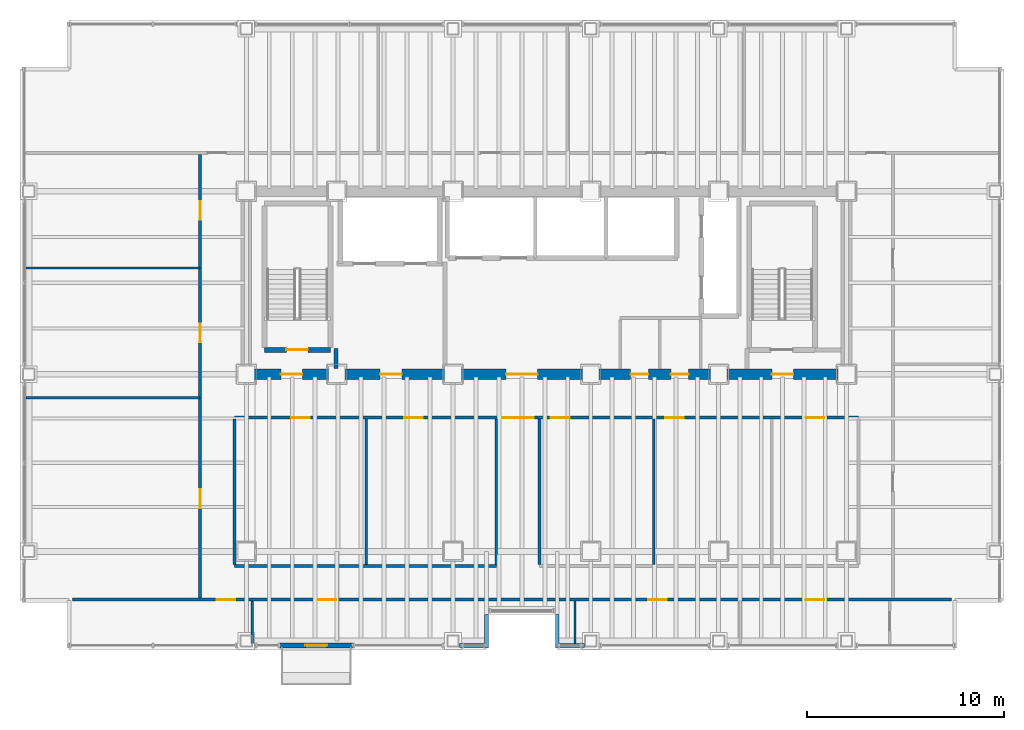
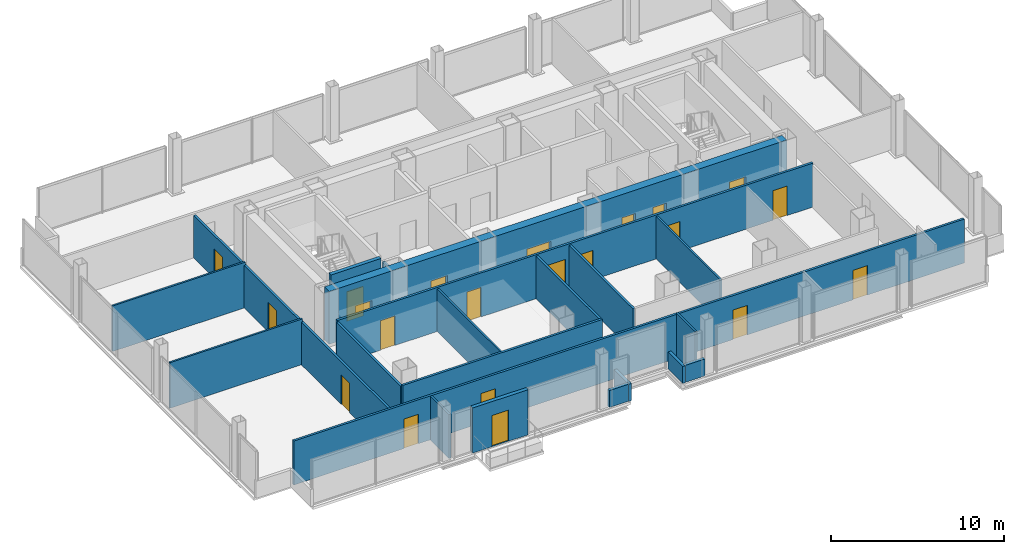
# One storey, part 18 of 21: 21 doors, 21 walls, 21 openings.
"""IFC4 building model written with IfcOpenShell, lengths in metres."""

from ifc_helpers import new_model, si_unit, direction, frame, frame_2d, origin, place, context, subcontext, project, spatial, rectangle, extrude, material, layer, layer_set, type_object, element, fill, save


model = new_model("IFC4")

# Units and contexts
model_context = context("Model", 3, precision=1e-05, world=origin(), true_north=direction((0.0, 1.0)))
body_context = subcontext(model_context, "Body", "Model", "MODEL_VIEW")
ifc_project = project(units=[si_unit("LENGTHUNIT", "METRE"), si_unit("AREAUNIT", "SQUARE_METRE"), si_unit("VOLUMEUNIT", "CUBIC_METRE"), si_unit("PLANEANGLEUNIT", "RADIAN"), si_unit("MASSUNIT", "GRAM", prefix="KILO")], contexts=[model_context])

# Site, building, storey
site_placement = place(None, origin())
site = spatial("IfcSite", under=ifc_project, at=site_placement, CompositionType="ELEMENT")
building_placement = place(site_placement, origin())
building = spatial("IfcBuilding", under=site, at=building_placement, Name="Noeulbin Bourse Tower", CompositionType="ELEMENT")
storey_placement = place(building_placement, frame((0.0, 0.0, 34.300048828125)))
storey = spatial("IfcBuildingStorey", under=building, at=storey_placement, Name="L08", CompositionType="ELEMENT", Elevation=34.300048828125)

# Wall, openings, doors
ifc_material_1 = material(Name="Concrete C60/75", Category="concrete")
ifc_layer_1 = layer(ifc_material_1, 0.550048828125)
ifc_layer_set_1 = layer_set([ifc_layer_1], Name="Concrete C60/75")
wall_type_1 = type_object("IfcWallType", Name="WAL-CORE-550", PredefinedType="SHEAR", material=ifc_layer_set_1)
wall_1_placement = place(storey_placement, frame((13.5, 29.0, 0.0), z_axis=(0.0, 0.0, 1.0), x_axis=(1.0, 0.0, 0.0)))
wall_1 = element("IfcWall", 1, at=wall_1_placement, inside=storey, type_object=wall_type_1, Name="Rear Core South Shear Wall L08", PredefinedType="SHEAR", context=body_context, shape_type="SweptSolid", body=[
    extrude(rectangle(XDim=30.5, YDim=0.550048828125, at=frame_2d((15.25, 0.0))), origin(), (0.0, 0.0, 1.0), 3.719970703125),
])
opening_1_placement = place(wall_1_placement, frame((1.75, 0.0, 0.0)))
opening_1 = element("IfcOpeningElement", 2, at=opening_1_placement, cuts=wall_1, Name="Opening FD-11", PredefinedType="OPENING", context=body_context, shape_type="SweptSolid", body=[
    extrude(rectangle(XDim=1.10009765625, YDim=2.080078125, at=frame_2d((0.550048828125, 1.0400390625))), frame((0.0, 0.284912109375, 0.0), z_axis=(0.0, -1.0, 0.0), x_axis=(1.0, 0.0, 0.0)), (0.0, 0.0, 1.0), 0.570068359375),
])
opening_2_placement = place(wall_1_placement, frame((26.699951171875, 0.0, 0.0)))
opening_2 = element("IfcOpeningElement", 3, at=opening_2_placement, cuts=wall_1, Name="Opening FD-11", PredefinedType="OPENING", context=body_context, shape_type="SweptSolid", body=[
    extrude(rectangle(XDim=1.10009765625, YDim=2.080078125, at=frame_2d((0.550048828125, 1.0400390625))), frame((0.0, 0.284912109375, 0.0), z_axis=(0.0, -1.0, 0.0), x_axis=(1.0, 0.0, 0.0)), (0.0, 0.0, 1.0), 0.570068359375),
])
opening_3_placement = place(wall_1_placement, frame((6.800048828125, 0.0, 0.0)))
opening_3 = element("IfcOpeningElement", 4, at=opening_3_placement, cuts=wall_1, Name="Opening FD-11", PredefinedType="OPENING", context=body_context, shape_type="SweptSolid", body=[
    extrude(rectangle(XDim=1.10009765625, YDim=2.080078125, at=frame_2d((0.550048828125, 1.0400390625))), frame((0.0, 0.284912109375, 0.0), z_axis=(0.0, -1.0, 0.0), x_axis=(1.0, 0.0, 0.0)), (0.0, 0.0, 1.0), 0.570068359375),
])
opening_4_placement = place(wall_1_placement, frame((13.199951171875, 0.0, 0.0)))
opening_4 = element("IfcOpeningElement", 5, at=opening_4_placement, cuts=wall_1, Name="Opening ID-16", PredefinedType="OPENING", context=body_context, shape_type="SweptSolid", body=[
    extrude(rectangle(XDim=1.60009765625, YDim=2.080078125, at=frame_2d((0.800048828125, 1.0400390625))), frame((0.0, 0.284912109375, 0.0), z_axis=(0.0, -1.0, 0.0), x_axis=(1.0, 0.0, 0.0)), (0.0, 0.0, 1.0), 0.570068359375),
])
opening_5_placement = place(wall_1_placement, frame((19.530029296875, 0.0, 0.0)))
opening_5 = element("IfcOpeningElement", 6, at=opening_5_placement, cuts=wall_1, Name="Opening FD-09", PredefinedType="OPENING", context=body_context, shape_type="SweptSolid", body=[
    extrude(rectangle(XDim=0.89990234375, YDim=2.080078125, at=frame_2d((0.449951171875, 1.0400390625))), frame((0.0, 0.284912109375, 0.0), z_axis=(0.0, -1.0, 0.0), x_axis=(1.0, 0.0, 0.0)), (0.0, 0.0, 1.0), 0.570068359375),
])
opening_6_placement = place(wall_1_placement, frame((21.570068359375, 0.0, 0.0)))
opening_6 = element("IfcOpeningElement", 7, at=opening_6_placement, cuts=wall_1, Name="Opening FD-09", PredefinedType="OPENING", context=body_context, shape_type="SweptSolid", body=[
    extrude(rectangle(XDim=0.89990234375, YDim=2.080078125, at=frame_2d((0.449951171875, 1.0400390625))), frame((0.0, 0.284912109375, 0.0), z_axis=(0.0, -1.0, 0.0), x_axis=(1.0, 0.0, 0.0)), (0.0, 0.0, 1.0), 0.570068359375),
])
ifc_material_2 = material(Name="Acoustic Glazed Aluminium", Category="aluminium")
door_type_1 = type_object("IfcDoorType", Name="DR-DBL-1600", OperationType="DOUBLE_DOOR_SINGLE_SWING", PredefinedType="DOOR", material=ifc_material_2)
door_1_placement = place(opening_4_placement, origin())
door_1 = element("IfcDoor", 8, at=door_1_placement, inside=storey, type_object=door_type_1, Name="Passenger Lift Lobby Portal L08", OperationType="DOUBLE_DOOR_SINGLE_SWING", OverallHeight=2.080078125, OverallWidth=1.60009765625, PredefinedType="DOOR", context=body_context, shape_type="SweptSolid", body=[
    extrude(rectangle(XDim=1.60009765625, YDim=2.080078125, at=frame_2d((0.800048828125, 1.0400390625))), frame((0.0, 0.02490234375, 0.0), z_axis=(0.0, -1.0, 0.0), x_axis=(1.0, 0.0, 0.0)), (0.0, 0.0, 1.0), 0.050048828125),
])
fill(opening_4, door_1)
ifc_material_3 = material(Name="Fire-Rated Timber Core", Category="wood")
door_type_2 = type_object("IfcDoorType", Name="DR-FD30-900", OperationType="SINGLE_SWING_RIGHT", PredefinedType="DOOR", material=ifc_material_3)
door_2_placement = place(opening_5_placement, origin())
door_2 = element("IfcDoor", 9, at=door_2_placement, inside=storey, type_object=door_type_2, Name="Interior Door L08-05", OperationType="SINGLE_SWING_LEFT", OverallHeight=2.080078125, OverallWidth=0.89990234375, PredefinedType="DOOR", context=body_context, shape_type="SweptSolid", body=[
    extrude(rectangle(XDim=0.89990234375, YDim=2.080078125, at=frame_2d((0.449951171875, 1.0400390625))), frame((0.0, 0.02490234375, 0.0), z_axis=(0.0, -1.0, 0.0), x_axis=(1.0, 0.0, 0.0)), (0.0, 0.0, 1.0), 0.050048828125),
])
fill(opening_5, door_2)
door_3_placement = place(opening_6_placement, origin())
door_3 = element("IfcDoor", 10, at=door_3_placement, inside=storey, type_object=door_type_2, Name="Interior Door L08-06", OperationType="SINGLE_SWING_RIGHT", OverallHeight=2.080078125, OverallWidth=0.89990234375, PredefinedType="DOOR", context=body_context, shape_type="SweptSolid", body=[
    extrude(rectangle(XDim=0.89990234375, YDim=2.080078125, at=frame_2d((0.449951171875, 1.0400390625))), frame((0.0, 0.02490234375, 0.0), z_axis=(0.0, -1.0, 0.0), x_axis=(1.0, 0.0, 0.0)), (0.0, 0.0, 1.0), 0.050048828125),
])
fill(opening_6, door_3)
ifc_material_4 = material(Name="Fire-Rated Insulated Steel", Category="steel")
door_type_3 = type_object("IfcDoorType", Name="DR-FD60-1100", OperationType="SINGLE_SWING_LEFT", PredefinedType="DOOR", material=ifc_material_4)
door_4_placement = place(opening_1_placement, origin())
door_4 = element("IfcDoor", 11, at=door_4_placement, inside=storey, type_object=door_type_3, Name="West Stair Lobby Door L08", OperationType="SINGLE_SWING_LEFT", OverallHeight=2.080078125, OverallWidth=1.10009765625, PredefinedType="DOOR", context=body_context, shape_type="SweptSolid", body=[
    extrude(rectangle(XDim=1.10009765625, YDim=2.080078125, at=frame_2d((0.550048828125, 1.0400390625))), frame((0.0, 0.02490234375, 0.0), z_axis=(0.0, -1.0, 0.0), x_axis=(1.0, 0.0, 0.0)), (0.0, 0.0, 1.0), 0.050048828125),
])
fill(opening_1, door_4)
door_5_placement = place(opening_2_placement, origin())
door_5 = element("IfcDoor", 12, at=door_5_placement, inside=storey, type_object=door_type_3, Name="East Stair Lobby Door L08", OperationType="SINGLE_SWING_RIGHT", OverallHeight=2.080078125, OverallWidth=1.10009765625, PredefinedType="DOOR", context=body_context, shape_type="SweptSolid", body=[
    extrude(rectangle(XDim=1.10009765625, YDim=2.080078125, at=frame_2d((0.550048828125, 1.0400390625))), frame((0.0, 0.02490234375, 0.0), z_axis=(0.0, -1.0, 0.0), x_axis=(1.0, 0.0, 0.0)), (0.0, 0.0, 1.0), 0.050048828125),
])
fill(opening_2, door_5)
door_6_placement = place(opening_3_placement, origin())
door_6 = element("IfcDoor", 13, at=door_6_placement, inside=storey, type_object=door_type_3, Name="Firefighting Lobby Door L08", OperationType="SINGLE_SWING_LEFT", OverallHeight=2.080078125, OverallWidth=1.10009765625, PredefinedType="DOOR", context=body_context, shape_type="SweptSolid", body=[
    extrude(rectangle(XDim=1.10009765625, YDim=2.080078125, at=frame_2d((0.550048828125, 1.0400390625))), frame((0.0, 0.02490234375, 0.0), z_axis=(0.0, -1.0, 0.0), x_axis=(1.0, 0.0, 0.0)), (0.0, 0.0, 1.0), 0.050048828125),
])
fill(opening_3, door_6)

# Wall, opening, door
ifc_material_5 = material(Name="Precast Concrete C40/50", Category="concrete")
ifc_layer_2 = layer(ifc_material_5, 0.25)
ifc_layer_set_2 = layer_set([ifc_layer_2], Name="Precast Concrete C40/50")
wall_type_2 = type_object("IfcWallType", Name="WAL-EXT-250", PredefinedType="STANDARD", material=ifc_layer_set_2)
wall_2_placement = place(storey_placement, frame((15.199951171875, 15.219970703125, 0.0), z_axis=(0.0, 0.0, 1.0), x_axis=(1.0, 0.0, 0.0)))
wall_2 = element("IfcWall", 14, at=wall_2_placement, inside=storey, type_object=wall_type_2, Name="Balcony Threshold Wall L08", PredefinedType="STANDARD", context=body_context, shape_type="SweptSolid", body=[
    extrude(rectangle(XDim=3.699951171875, YDim=0.25, at=frame_2d((1.85009765625, 0.0))), origin(), (0.0, 0.0, 1.0), 3.179931640625),
])
opening_7_placement = place(wall_2_placement, frame((1.300048828125, 0.0, 0.0)))
opening_7 = element("IfcOpeningElement", 15, at=opening_7_placement, cuts=wall_2, Name="Opening BD-11", PredefinedType="OPENING", context=body_context, shape_type="SweptSolid", body=[
    extrude(rectangle(XDim=1.10009765625, YDim=2.199951171875, at=frame_2d((0.550048828125, 1.10009765625))), frame((0.0, 0.135009765625, 0.0), z_axis=(0.0, -1.0, 0.0), x_axis=(1.0, 0.0, 0.0)), (0.0, 0.0, 1.0), 0.27001953125),
])
ifc_material_6 = material(Name="Thermally Broken Aluminium Framed Glass", Category="aluminium")
door_type_4 = type_object("IfcDoorType", Name="DR-BAL-1100", OperationType="SINGLE_SWING_LEFT", PredefinedType="DOOR", material=ifc_material_6)
door_7_placement = place(opening_7_placement, origin())
door_7 = element("IfcDoor", 16, at=door_7_placement, inside=storey, type_object=door_type_4, Name="Tree-Balcony Access Door BD-L08", OperationType="SINGLE_SWING_RIGHT", OverallHeight=2.199951171875, OverallWidth=1.10009765625, PredefinedType="DOOR", context=body_context, shape_type="SweptSolid", body=[
    extrude(rectangle(XDim=1.10009765625, YDim=2.199951171875, at=frame_2d((0.550048828125, 1.10009765625))), frame((0.0, 0.02490234375, 0.0), z_axis=(0.0, -1.0, 0.0), x_axis=(1.0, 0.0, 0.0)), (0.0, 0.0, 1.0), 0.050048828125),
])
fill(opening_7, door_7)

# Walls
ifc_material_7 = material(Name="Concrete C40/50", Category="concrete")
ifc_layer_3 = layer(ifc_material_7, 0.199951171875)
ifc_layer_set_3 = layer_set([ifc_layer_3], Name="Concrete C40/50")
wall_type_3 = type_object("IfcWallType", Name="WAL-FIRE-200", PredefinedType="STANDARD", material=ifc_layer_set_3)
wall_3_placement = place(storey_placement, frame((18.050048828125, 29.284912109375, 0.0), z_axis=(0.0, 0.0, 1.0), x_axis=(0.0, 1.0, 0.0)))
element("IfcWall", 17, at=wall_3_placement, inside=storey, type_object=wall_type_3, Name="Interior Partition Wall L08-11", PredefinedType="STANDARD", context=body_context, shape_type="SweptSolid", body=[
    extrude(rectangle(XDim=1.01513671875, YDim=0.199951171875, at=frame_2d((0.507568359375, 0.0))), origin(), (0.0, 0.0, 1.0), 3.300048828125),
])
ifc_layer_4 = layer(ifc_material_7, 0.199951171875)
ifc_layer_set_4 = layer_set([ifc_layer_4], Name="Concrete C40/50")
wall_type_4 = type_object("IfcWallType", Name="WAL-PAR-200", PredefinedType="PARAPET", material=ifc_layer_set_4)
for number, where, z_axis, x_axis, name in (
    (18, (24.320068359375, 15.219970703125, 0.0), (0.0, 0.0, 1.0), (1.0, 0.0, 0.0), "Perimeter Pier Spandrel Parapet L08-S1"),
    (19, (29.35009765625, 15.219970703125, 0.0), (0.0, 0.0, 1.0), (1.0, 0.0, 0.0), "Perimeter Pier Spandrel Parapet L08-S2"),
):
    element("IfcWall", number, at=place(storey_placement, frame(where, z_axis=z_axis, x_axis=x_axis)), inside=storey, type_object=wall_type_4, Name=name, PredefinedType="PARAPET", context=body_context, shape_type="SweptSolid", body=[
        extrude(rectangle(XDim=1.329833984375, YDim=0.199951171875, at=frame_2d((0.6650390625, 0.0))), origin(), (0.0, 0.0, 1.0), 1.199951171875),
    ])
for number, where, z_axis, x_axis, name in (
    (20, (25.699951171875, 15.10009765625, 0.0), (0.0, 0.0, 1.0), (0.0, 1.0, 0.0), "Sky-Garden Recess Parapet L08-W"),
    (21, (29.300048828125, 16.800048828125, 0.0), (0.0, 0.0, 1.0), (0.0, -1.0, 0.0), "Sky-Garden Recess Parapet L08-E"),
):
    element("IfcWall", number, at=place(storey_placement, frame(where, z_axis=z_axis, x_axis=x_axis)), inside=storey, type_object=wall_type_4, Name=name, PredefinedType="PARAPET", context=body_context, shape_type="SweptSolid", body=[
        extrude(rectangle(XDim=1.699951171875, YDim=0.199951171875, at=frame_2d((0.85009765625, 0.0))), origin(), (0.0, 0.0, 1.0), 1.199951171875),
    ])
ifc_material_8 = material(Name="Steel Stud Gypsum Partition", Category="steel")
ifc_layer_5 = layer(ifc_material_8, 0.1201171875)
ifc_layer_set_5 = layer_set([ifc_layer_5], Name="Steel Stud Gypsum Partition")
wall_type_5 = type_object("IfcWallType", Name="WAL-PRT-120", PredefinedType="PARTITIONING", material=ifc_layer_set_5)
for number, where, z_axis, x_axis, name in (
    (22, (2.31005859375, 27.800048828125, 0.0), (0.0, 0.0, 1.0), (1.0, 0.0, 0.0), "Interior Partition Wall L08-07"),
    (23, (2.31005859375, 34.39990234375, 0.0), (0.0, 0.0, 1.0), (1.0, 0.0, 0.0), "Interior Partition Wall L08-08"),
):
    element("IfcWall", number, at=place(storey_placement, frame(where, z_axis=z_axis, x_axis=x_axis)), inside=storey, type_object=wall_type_5, Name=name, PredefinedType="PARTITIONING", context=body_context, shape_type="SweptSolid", body=[
        extrude(rectangle(XDim=8.83984375, YDim=0.1201171875, at=frame_2d((4.419921875, 0.0))), origin(), (0.0, 0.0, 1.0), 3.2119140625),
    ])
wall_4_placement = place(storey_placement, frame((13.800048828125, 15.31005859375, 0.0), z_axis=(0.0, 0.0, 1.0), x_axis=(0.0, 1.0, 0.0)))
element("IfcWall", 24, at=wall_4_placement, inside=storey, type_object=wall_type_5, Name="Interior Partition Wall L08-23", PredefinedType="PARTITIONING", context=body_context, shape_type="SweptSolid", body=[
    extrude(rectangle(XDim=2.155029296875, YDim=0.1201171875, at=frame_2d((1.07763671875, 0.0))), origin(), (0.0, 0.0, 1.0), 3.099853515625),
])
wall_5_placement = place(storey_placement, frame((30.199951171875, 15.31005859375, 0.0), z_axis=(0.0, 0.0, 1.0), x_axis=(0.0, 1.0, 0.0)))
element("IfcWall", 25, at=wall_5_placement, inside=storey, type_object=wall_type_5, Name="Interior Partition Wall L08-24", PredefinedType="PARTITIONING", context=body_context, shape_type="SweptSolid", body=[
    extrude(rectangle(XDim=2.155029296875, YDim=0.1201171875, at=frame_2d((1.07763671875, 0.0))), origin(), (0.0, 0.0, 1.0), 3.2119140625),
])
for number, where, z_axis, x_axis, name in (
    (26, (19.60009765625, 19.3349609375, 0.0), (0.0, 0.0, 1.0), (0.0, 1.0, 0.0), "Interior Partition Wall L08-27"),
    (27, (34.199951171875, 19.3349609375, 0.0), (0.0, 0.0, 1.0), (0.0, 1.0, 0.0), "Interior Partition Wall L08-28"),
):
    element("IfcWall", number, at=place(storey_placement, frame(where, z_axis=z_axis, x_axis=x_axis)), inside=storey, type_object=wall_type_5, Name=name, PredefinedType="PARTITIONING", context=body_context, shape_type="SweptSolid", body=[
        extrude(rectangle(XDim=7.380126953125, YDim=0.1201171875, at=frame_2d((3.68994140625, 0.0))), origin(), (0.0, 0.0, 1.0), 3.0),
    ])

# Wall, openings, doors
ifc_material_9 = material(Name="Steel Stud Acoustic Gypsum Board", Category="steel")
ifc_layer_6 = layer(ifc_material_9, 0.14990234375)
ifc_layer_set_6 = layer_set([ifc_layer_6], Name="Steel Stud Acoustic Gypsum Board")
wall_type_6 = type_object("IfcWallType", Name="WAL-PRT-150", PredefinedType="PARTITIONING", material=ifc_layer_set_6)
wall_6_placement = place(storey_placement, frame((12.89990234375, 26.800048828125, 0.0), z_axis=(0.0, 0.0, 1.0), x_axis=(1.0, 0.0, 0.0)))
wall_6 = element("IfcWall", 28, at=wall_6_placement, inside=storey, type_object=wall_type_6, Name="Interior Partition Wall L08-03", PredefinedType="PARTITIONING", context=body_context, shape_type="SweptSolid", body=[
    extrude(rectangle(XDim=31.7001953125, YDim=0.14990234375, at=frame_2d((15.85009765625, 0.0))), origin(), (0.0, 0.0, 1.0), 3.099853515625),
])
opening_8_placement = place(wall_6_placement, frame((13.60009765625, 0.0, 0.0)))
opening_8 = element("IfcOpeningElement", 29, at=opening_8_placement, cuts=wall_6, Name="Opening ID-16", PredefinedType="OPENING", context=body_context, shape_type="SweptSolid", body=[
    extrude(rectangle(XDim=1.60009765625, YDim=2.080078125, at=frame_2d((0.800048828125, 1.0400390625))), frame((0.0, 0.0849609375, 0.0), z_axis=(0.0, -1.0, 0.0), x_axis=(1.0, 0.0, 0.0)), (0.0, 0.0, 1.0), 0.169921875),
])
opening_9_placement = place(wall_6_placement, frame((2.875, 0.0, 0.0)))
opening_9 = element("IfcOpeningElement", 30, at=opening_9_placement, cuts=wall_6, Name="Opening ID-09", PredefinedType="OPENING", context=body_context, shape_type="SweptSolid", body=[
    extrude(rectangle(XDim=0.949951171875, YDim=2.080078125, at=frame_2d((0.47509765625, 1.0400390625))), frame((0.0, 0.0849609375, 0.0), z_axis=(0.0, -1.0, 0.0), x_axis=(1.0, 0.0, 0.0)), (0.0, 0.0, 1.0), 0.169921875),
])
opening_10_placement = place(wall_6_placement, frame((8.625, 0.0, 0.0)))
opening_10 = element("IfcOpeningElement", 31, at=opening_10_placement, cuts=wall_6, Name="Opening ID-09", PredefinedType="OPENING", context=body_context, shape_type="SweptSolid", body=[
    extrude(rectangle(XDim=0.949951171875, YDim=2.080078125, at=frame_2d((0.47509765625, 1.0400390625))), frame((0.0, 0.0849609375, 0.0), z_axis=(0.0, -1.0, 0.0), x_axis=(1.0, 0.0, 0.0)), (0.0, 0.0, 1.0), 0.169921875),
])
opening_11_placement = place(wall_6_placement, frame((16.074951171875, 0.0, 0.0)))
opening_11 = element("IfcOpeningElement", 32, at=opening_11_placement, cuts=wall_6, Name="Opening ID-09", PredefinedType="OPENING", context=body_context, shape_type="SweptSolid", body=[
    extrude(rectangle(XDim=0.949951171875, YDim=2.080078125, at=frame_2d((0.47509765625, 1.0400390625))), frame((0.0, 0.0849609375, 0.0), z_axis=(0.0, -1.0, 0.0), x_axis=(1.0, 0.0, 0.0)), (0.0, 0.0, 1.0), 0.169921875),
])
opening_12_placement = place(wall_6_placement, frame((21.875, 0.0, 0.0)))
opening_12 = element("IfcOpeningElement", 33, at=opening_12_placement, cuts=wall_6, Name="Opening ID-09", PredefinedType="OPENING", context=body_context, shape_type="SweptSolid", body=[
    extrude(rectangle(XDim=0.949951171875, YDim=2.080078125, at=frame_2d((0.47509765625, 1.0400390625))), frame((0.0, 0.0849609375, 0.0), z_axis=(0.0, -1.0, 0.0), x_axis=(1.0, 0.0, 0.0)), (0.0, 0.0, 1.0), 0.169921875),
])
opening_13_placement = place(wall_6_placement, frame((29.02490234375, 0.0, 0.0)))
opening_13 = element("IfcOpeningElement", 34, at=opening_13_placement, cuts=wall_6, Name="Opening ID-09", PredefinedType="OPENING", context=body_context, shape_type="SweptSolid", body=[
    extrude(rectangle(XDim=0.949951171875, YDim=2.080078125, at=frame_2d((0.47509765625, 1.0400390625))), frame((0.0, 0.0849609375, 0.0), z_axis=(0.0, -1.0, 0.0), x_axis=(1.0, 0.0, 0.0)), (0.0, 0.0, 1.0), 0.169921875),
])
door_8_placement = place(opening_8_placement, origin())
door_8 = element("IfcDoor", 35, at=door_8_placement, inside=storey, type_object=door_type_1, Name="Interior Door L08-07", OperationType="DOUBLE_DOOR_SINGLE_SWING", OverallHeight=2.080078125, OverallWidth=1.60009765625, PredefinedType="DOOR", context=body_context, shape_type="SweptSolid", body=[
    extrude(rectangle(XDim=1.60009765625, YDim=2.080078125, at=frame_2d((0.800048828125, 1.0400390625))), frame((0.0, 0.02490234375, 0.0), z_axis=(0.0, -1.0, 0.0), x_axis=(1.0, 0.0, 0.0)), (0.0, 0.0, 1.0), 0.050048828125),
])
fill(opening_8, door_8)
ifc_material_10 = material(Name="Acoustic Solid-Core Timber", Category="wood")
door_type_5 = type_object("IfcDoorType", Name="DR-SINGLE-950", OperationType="SINGLE_SWING_LEFT", PredefinedType="DOOR", material=ifc_material_10)
door_9_placement = place(opening_9_placement, origin())
door_9 = element("IfcDoor", 36, at=door_9_placement, inside=storey, type_object=door_type_5, Name="Interior Door L08-13", OperationType="SINGLE_SWING_LEFT", OverallHeight=2.080078125, OverallWidth=0.949951171875, PredefinedType="DOOR", context=body_context, shape_type="SweptSolid", body=[
    extrude(rectangle(XDim=0.949951171875, YDim=2.080078125, at=frame_2d((0.47509765625, 1.0400390625))), frame((0.0, 0.02490234375, 0.0), z_axis=(0.0, -1.0, 0.0), x_axis=(1.0, 0.0, 0.0)), (0.0, 0.0, 1.0), 0.050048828125),
])
fill(opening_9, door_9)
door_10_placement = place(opening_10_placement, origin())
door_10 = element("IfcDoor", 37, at=door_10_placement, inside=storey, type_object=door_type_5, Name="Interior Door L08-14", OperationType="SINGLE_SWING_RIGHT", OverallHeight=2.080078125, OverallWidth=0.949951171875, PredefinedType="DOOR", context=body_context, shape_type="SweptSolid", body=[
    extrude(rectangle(XDim=0.949951171875, YDim=2.080078125, at=frame_2d((0.47509765625, 1.0400390625))), frame((0.0, 0.02490234375, 0.0), z_axis=(0.0, -1.0, 0.0), x_axis=(1.0, 0.0, 0.0)), (0.0, 0.0, 1.0), 0.050048828125),
])
fill(opening_10, door_10)
door_11_placement = place(opening_11_placement, origin())
door_11 = element("IfcDoor", 38, at=door_11_placement, inside=storey, type_object=door_type_5, Name="Interior Door L08-15", OperationType="SINGLE_SWING_LEFT", OverallHeight=2.080078125, OverallWidth=0.949951171875, PredefinedType="DOOR", context=body_context, shape_type="SweptSolid", body=[
    extrude(rectangle(XDim=0.949951171875, YDim=2.080078125, at=frame_2d((0.47509765625, 1.0400390625))), frame((0.0, 0.02490234375, 0.0), z_axis=(0.0, -1.0, 0.0), x_axis=(1.0, 0.0, 0.0)), (0.0, 0.0, 1.0), 0.050048828125),
])
fill(opening_11, door_11)
door_12_placement = place(opening_12_placement, origin())
door_12 = element("IfcDoor", 39, at=door_12_placement, inside=storey, type_object=door_type_5, Name="Interior Door L08-16", OperationType="SINGLE_SWING_RIGHT", OverallHeight=2.080078125, OverallWidth=0.949951171875, PredefinedType="DOOR", context=body_context, shape_type="SweptSolid", body=[
    extrude(rectangle(XDim=0.949951171875, YDim=2.080078125, at=frame_2d((0.47509765625, 1.0400390625))), frame((0.0, 0.02490234375, 0.0), z_axis=(0.0, -1.0, 0.0), x_axis=(1.0, 0.0, 0.0)), (0.0, 0.0, 1.0), 0.050048828125),
])
fill(opening_12, door_12)
door_13_placement = place(opening_13_placement, origin())
door_13 = element("IfcDoor", 40, at=door_13_placement, inside=storey, type_object=door_type_5, Name="Interior Door L08-17", OperationType="SINGLE_SWING_LEFT", OverallHeight=2.080078125, OverallWidth=0.949951171875, PredefinedType="DOOR", context=body_context, shape_type="SweptSolid", body=[
    extrude(rectangle(XDim=0.949951171875, YDim=2.080078125, at=frame_2d((0.47509765625, 1.0400390625))), frame((0.0, 0.02490234375, 0.0), z_axis=(0.0, -1.0, 0.0), x_axis=(1.0, 0.0, 0.0)), (0.0, 0.0, 1.0), 0.050048828125),
])
fill(opening_13, door_13)

wall_7_placement = place(storey_placement, frame((4.659912109375, 17.550048828125, 0.0), z_axis=(0.0, 0.0, 1.0), x_axis=(1.0, 0.0, 0.0)))
wall_7 = element("IfcWall", 41, at=wall_7_placement, inside=storey, type_object=wall_type_6, Name="Interior Partition Wall L08-04", PredefinedType="PARTITIONING", context=body_context, shape_type="SweptSolid", body=[
    extrude(rectangle(XDim=44.68017578125, YDim=0.14990234375, at=frame_2d((22.340087890625, 0.0))), origin(), (0.0, 0.0, 1.0), 3.099853515625),
])
opening_14_placement = place(wall_7_placement, frame((7.340087890625, 0.0, 0.0)))
opening_14 = element("IfcOpeningElement", 42, at=opening_14_placement, cuts=wall_7, Name="Opening ID-09", PredefinedType="OPENING", context=body_context, shape_type="SweptSolid", body=[
    extrude(rectangle(XDim=0.949951171875, YDim=2.080078125, at=frame_2d((0.47509765625, 1.0400390625))), frame((0.0, 0.0849609375, 0.0), z_axis=(0.0, -1.0, 0.0), x_axis=(1.0, 0.0, 0.0)), (0.0, 0.0, 1.0), 0.169921875),
])
opening_15_placement = place(wall_7_placement, frame((12.465087890625, 0.0, 0.0)))
opening_15 = element("IfcOpeningElement", 43, at=opening_15_placement, cuts=wall_7, Name="Opening ID-09", PredefinedType="OPENING", context=body_context, shape_type="SweptSolid", body=[
    extrude(rectangle(XDim=0.949951171875, YDim=2.080078125, at=frame_2d((0.47509765625, 1.0400390625))), frame((0.0, 0.0849609375, 0.0), z_axis=(0.0, -1.0, 0.0), x_axis=(1.0, 0.0, 0.0)), (0.0, 0.0, 1.0), 0.169921875),
])
opening_16_placement = place(wall_7_placement, frame((29.264892578125, 0.0, 0.0)))
opening_16 = element("IfcOpeningElement", 44, at=opening_16_placement, cuts=wall_7, Name="Opening ID-09", PredefinedType="OPENING", context=body_context, shape_type="SweptSolid", body=[
    extrude(rectangle(XDim=0.949951171875, YDim=2.080078125, at=frame_2d((0.47509765625, 1.0400390625))), frame((0.0, 0.0849609375, 0.0), z_axis=(0.0, -1.0, 0.0), x_axis=(1.0, 0.0, 0.0)), (0.0, 0.0, 1.0), 0.169921875),
])
opening_17_placement = place(wall_7_placement, frame((37.264892578125, 0.0, 0.0)))
opening_17 = element("IfcOpeningElement", 45, at=opening_17_placement, cuts=wall_7, Name="Opening ID-09", PredefinedType="OPENING", context=body_context, shape_type="SweptSolid", body=[
    extrude(rectangle(XDim=0.949951171875, YDim=2.080078125, at=frame_2d((0.47509765625, 1.0400390625))), frame((0.0, 0.0849609375, 0.0), z_axis=(0.0, -1.0, 0.0), x_axis=(1.0, 0.0, 0.0)), (0.0, 0.0, 1.0), 0.169921875),
])
door_14_placement = place(opening_14_placement, origin())
door_14 = element("IfcDoor", 46, at=door_14_placement, inside=storey, type_object=door_type_5, Name="Interior Door L08-08", OperationType="SINGLE_SWING_RIGHT", OverallHeight=2.080078125, OverallWidth=0.949951171875, PredefinedType="DOOR", context=body_context, shape_type="SweptSolid", body=[
    extrude(rectangle(XDim=0.949951171875, YDim=2.080078125, at=frame_2d((0.47509765625, 1.0400390625))), frame((0.0, 0.02490234375, 0.0), z_axis=(0.0, -1.0, 0.0), x_axis=(1.0, 0.0, 0.0)), (0.0, 0.0, 1.0), 0.050048828125),
])
fill(opening_14, door_14)
door_15_placement = place(opening_15_placement, origin())
door_15 = element("IfcDoor", 47, at=door_15_placement, inside=storey, type_object=door_type_5, Name="Interior Door L08-09", OperationType="SINGLE_SWING_LEFT", OverallHeight=2.080078125, OverallWidth=0.949951171875, PredefinedType="DOOR", context=body_context, shape_type="SweptSolid", body=[
    extrude(rectangle(XDim=0.949951171875, YDim=2.080078125, at=frame_2d((0.47509765625, 1.0400390625))), frame((0.0, 0.02490234375, 0.0), z_axis=(0.0, -1.0, 0.0), x_axis=(1.0, 0.0, 0.0)), (0.0, 0.0, 1.0), 0.050048828125),
])
fill(opening_15, door_15)
door_16_placement = place(opening_16_placement, origin())
door_16 = element("IfcDoor", 48, at=door_16_placement, inside=storey, type_object=door_type_5, Name="Interior Door L08-10", OperationType="SINGLE_SWING_RIGHT", OverallHeight=2.080078125, OverallWidth=0.949951171875, PredefinedType="DOOR", context=body_context, shape_type="SweptSolid", body=[
    extrude(rectangle(XDim=0.949951171875, YDim=2.080078125, at=frame_2d((0.47509765625, 1.0400390625))), frame((0.0, 0.02490234375, 0.0), z_axis=(0.0, -1.0, 0.0), x_axis=(1.0, 0.0, 0.0)), (0.0, 0.0, 1.0), 0.050048828125),
])
fill(opening_16, door_16)
door_17_placement = place(opening_17_placement, origin())
door_17 = element("IfcDoor", 49, at=door_17_placement, inside=storey, type_object=door_type_5, Name="Interior Door L08-11", OperationType="SINGLE_SWING_LEFT", OverallHeight=2.080078125, OverallWidth=0.949951171875, PredefinedType="DOOR", context=body_context, shape_type="SweptSolid", body=[
    extrude(rectangle(XDim=0.949951171875, YDim=2.080078125, at=frame_2d((0.47509765625, 1.0400390625))), frame((0.0, 0.02490234375, 0.0), z_axis=(0.0, -1.0, 0.0), x_axis=(1.0, 0.0, 0.0)), (0.0, 0.0, 1.0), 0.050048828125),
])
fill(opening_17, door_17)

# Walls
wall_8_placement = place(storey_placement, frame((12.89990234375, 19.25, 0.0), z_axis=(0.0, 0.0, 1.0), x_axis=(1.0, 0.0, 0.0)))
element("IfcWall", 50, at=wall_8_placement, inside=storey, type_object=wall_type_6, Name="Interior Partition Wall L08-05", PredefinedType="PARTITIONING", context=body_context, shape_type="SweptSolid", body=[
    extrude(rectangle(XDim=13.300048828125, YDim=0.14990234375, at=frame_2d((6.64990234375, 0.0))), origin(), (0.0, 0.0, 1.0), 3.099853515625),
])
for number, where, z_axis, x_axis, name in (
    (51, (26.199951171875, 19.3349609375, 0.0), (0.0, 0.0, 1.0), (0.0, 1.0, 0.0), "Interior Partition Wall L08-17"),
    (52, (28.39990234375, 19.3349609375, 0.0), (0.0, 0.0, 1.0), (0.0, 1.0, 0.0), "Interior Partition Wall L08-18"),
):
    element("IfcWall", number, at=place(storey_placement, frame(where, z_axis=z_axis, x_axis=x_axis)), inside=storey, type_object=wall_type_6, Name=name, PredefinedType="PARTITIONING", context=body_context, shape_type="SweptSolid", body=[
        extrude(rectangle(XDim=7.380126953125, YDim=0.14990234375, at=frame_2d((3.68994140625, 0.0))), origin(), (0.0, 0.0, 1.0), 3.0),
    ])

# Wall, openings, doors
wall_9_placement = place(storey_placement, frame((11.14990234375, 17.635009765625, 0.0), z_axis=(0.0, 0.0, 1.0), x_axis=(0.0, 1.0, 0.0)))
wall_9 = element("IfcWall", 53, at=wall_9_placement, inside=storey, type_object=wall_type_6, Name="Interior Partition Wall L08-19", PredefinedType="PARTITIONING", context=body_context, shape_type="SweptSolid", body=[
    extrude(rectangle(XDim=22.530029296875, YDim=0.14990234375, at=frame_2d((11.26513671875, 0.0))), origin(), (0.0, 0.0, 1.0), 3.0),
])
opening_18_placement = place(wall_9_placement, frame((4.56494140625, 0.0, 0.0)))
opening_18 = element("IfcOpeningElement", 54, at=opening_18_placement, cuts=wall_9, Name="Opening ID-09", PredefinedType="OPENING", context=body_context, shape_type="SweptSolid", body=[
    extrude(rectangle(XDim=0.949951171875, YDim=2.080078125, at=frame_2d((0.47509765625, 1.0400390625))), frame((0.0, 0.0849609375, 0.0), z_axis=(0.0, -1.0, 0.0), x_axis=(1.0, 0.0, 0.0)), (0.0, 0.0, 1.0), 0.169921875),
])
opening_19_placement = place(wall_9_placement, frame((12.989990234375, 0.0, 0.0)))
opening_19 = element("IfcOpeningElement", 55, at=opening_19_placement, cuts=wall_9, Name="Opening ID-09", PredefinedType="OPENING", context=body_context, shape_type="SweptSolid", body=[
    extrude(rectangle(XDim=0.949951171875, YDim=2.080078125, at=frame_2d((0.47509765625, 1.0400390625))), frame((0.0, 0.0849609375, 0.0), z_axis=(0.0, -1.0, 0.0), x_axis=(1.0, 0.0, 0.0)), (0.0, 0.0, 1.0), 0.169921875),
])
opening_20_placement = place(wall_9_placement, frame((19.215087890625, 0.0, 0.0)))
opening_20 = element("IfcOpeningElement", 56, at=opening_20_placement, cuts=wall_9, Name="Opening ID-09", PredefinedType="OPENING", context=body_context, shape_type="SweptSolid", body=[
    extrude(rectangle(XDim=0.949951171875, YDim=2.080078125, at=frame_2d((0.47509765625, 1.0400390625))), frame((0.0, 0.0849609375, 0.0), z_axis=(0.0, -1.0, 0.0), x_axis=(1.0, 0.0, 0.0)), (0.0, 0.0, 1.0), 0.169921875),
])
door_18_placement = place(opening_18_placement, origin())
door_18 = element("IfcDoor", 57, at=door_18_placement, inside=storey, type_object=door_type_5, Name="Interior Door L08-18", OperationType="SINGLE_SWING_RIGHT", OverallHeight=2.080078125, OverallWidth=0.949951171875, PredefinedType="DOOR", context=body_context, shape_type="SweptSolid", body=[
    extrude(rectangle(XDim=0.949951171875, YDim=2.080078125, at=frame_2d((0.47509765625, 1.0400390625))), frame((0.0, 0.02490234375, 0.0), z_axis=(0.0, -1.0, 0.0), x_axis=(1.0, 0.0, 0.0)), (0.0, 0.0, 1.0), 0.050048828125),
])
fill(opening_18, door_18)
door_19_placement = place(opening_19_placement, origin())
door_19 = element("IfcDoor", 58, at=door_19_placement, inside=storey, type_object=door_type_5, Name="Interior Door L08-19", OperationType="SINGLE_SWING_LEFT", OverallHeight=2.080078125, OverallWidth=0.949951171875, PredefinedType="DOOR", context=body_context, shape_type="SweptSolid", body=[
    extrude(rectangle(XDim=0.949951171875, YDim=2.080078125, at=frame_2d((0.47509765625, 1.0400390625))), frame((0.0, 0.02490234375, 0.0), z_axis=(0.0, -1.0, 0.0), x_axis=(1.0, 0.0, 0.0)), (0.0, 0.0, 1.0), 0.050048828125),
])
fill(opening_19, door_19)
door_20_placement = place(opening_20_placement, origin())
door_20 = element("IfcDoor", 59, at=door_20_placement, inside=storey, type_object=door_type_5, Name="Interior Door L08-20", OperationType="SINGLE_SWING_RIGHT", OverallHeight=2.080078125, OverallWidth=0.949951171875, PredefinedType="DOOR", context=body_context, shape_type="SweptSolid", body=[
    extrude(rectangle(XDim=0.949951171875, YDim=2.080078125, at=frame_2d((0.47509765625, 1.0400390625))), frame((0.0, 0.02490234375, 0.0), z_axis=(0.0, -1.0, 0.0), x_axis=(1.0, 0.0, 0.0)), (0.0, 0.0, 1.0), 0.050048828125),
])
fill(opening_20, door_20)

# Wall
wall_10_placement = place(storey_placement, frame((12.89990234375, 19.3349609375, 0.0), z_axis=(0.0, 0.0, 1.0), x_axis=(0.0, 1.0, 0.0)))
element("IfcWall", 60, at=wall_10_placement, inside=storey, type_object=wall_type_6, Name="Interior Partition Wall L08-20", PredefinedType="PARTITIONING", context=body_context, shape_type="SweptSolid", body=[
    extrude(rectangle(XDim=7.380126953125, YDim=0.14990234375, at=frame_2d((3.68994140625, 0.0))), origin(), (0.0, 0.0, 1.0), 3.0),
])

# Wall, opening, door
ifc_layer_7 = layer(ifc_material_7, 0.25)
ifc_layer_set_7 = layer_set([ifc_layer_7], Name="Concrete C40/50")
wall_type_7 = type_object("IfcWallType", Name="WAL-SHFT-250", PredefinedType="STANDARD", material=ifc_layer_set_7)
wall_11_placement = place(storey_placement, frame((14.429931640625, 30.235107421875, 0.0), z_axis=(0.0, 0.0, 1.0), x_axis=(1.0, 0.0, 0.0)))
wall_11 = element("IfcWall", 61, at=wall_11_placement, inside=storey, type_object=wall_type_7, Name="Stair ST-1 South Shaft Wall L08", PredefinedType="STANDARD", context=body_context, shape_type="SweptSolid", body=[
    extrude(rectangle(XDim=3.340087890625, YDim=0.25, at=frame_2d((1.669921875, 0.0))), origin(), (0.0, 0.0, 1.0), 3.719970703125),
])
opening_21_placement = place(wall_11_placement, frame((1.10009765625, 0.0, 0.0)))
opening_21 = element("IfcOpeningElement", 62, at=opening_21_placement, cuts=wall_11, Name="Opening FD-11", PredefinedType="OPENING", context=body_context, shape_type="SweptSolid", body=[
    extrude(rectangle(XDim=1.10009765625, YDim=2.080078125, at=frame_2d((0.550048828125, 1.0400390625))), frame((0.0, 0.135009765625, 0.0), z_axis=(0.0, -1.0, 0.0), x_axis=(1.0, 0.0, 0.0)), (0.0, 0.0, 1.0), 0.27001953125),
])
door_21_placement = place(opening_21_placement, origin())
door_21 = element("IfcDoor", 63, at=door_21_placement, inside=storey, type_object=door_type_3, Name="Protected Stair Entry Door ST1-L08", OperationType="SINGLE_SWING_LEFT", OverallHeight=2.080078125, OverallWidth=1.10009765625, PredefinedType="DOOR", context=body_context, shape_type="SweptSolid", body=[
    extrude(rectangle(XDim=1.10009765625, YDim=2.080078125, at=frame_2d((0.550048828125, 1.0400390625))), frame((0.0, 0.02490234375, 0.0), z_axis=(0.0, -1.0, 0.0), x_axis=(1.0, 0.0, 0.0)), (0.0, 0.0, 1.0), 0.050048828125),
])
fill(opening_21, door_21)

save(model, "model.ifc")
